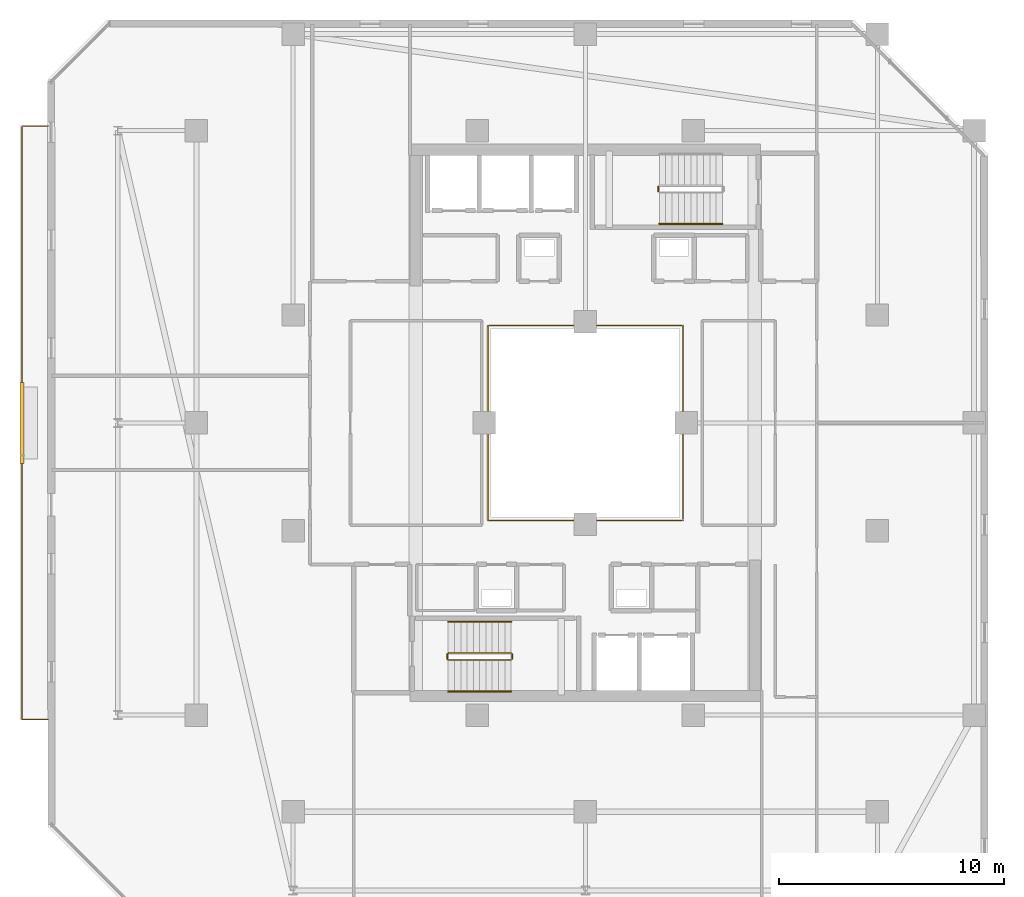
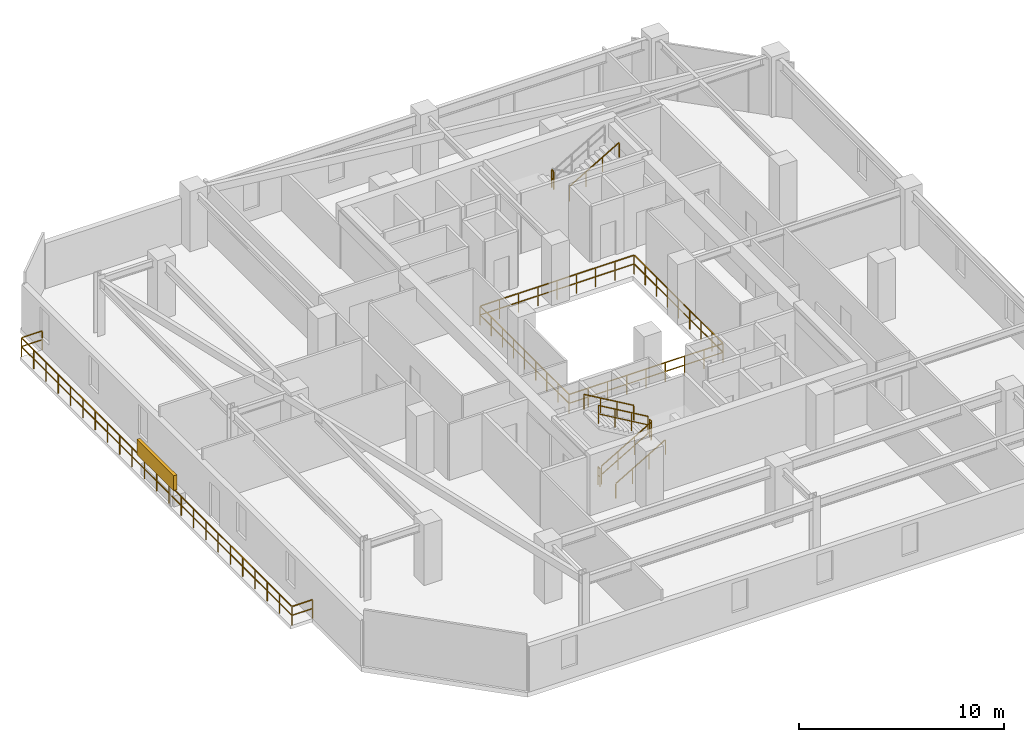
# One storey, part 28 of 31: 10 railings, 1 shading device.
"""IFC4 building model written with IfcOpenShell, lengths in metres."""

from ifc_helpers import new_model, si_unit, direction, frame, origin, origin_2d, place, context, subcontext, project, spatial, rectangle, extrude, material, type_object, element, save


model = new_model("IFC4")

# Units and contexts
model_context = context("Model", 3, precision=1e-05, world=origin(), true_north=direction((0.0, 1.0)))
body_context = subcontext(model_context, "Body", "Model", "MODEL_VIEW")
ifc_project = project(units=[si_unit("LENGTHUNIT", "METRE"), si_unit("AREAUNIT", "SQUARE_METRE"), si_unit("VOLUMEUNIT", "CUBIC_METRE"), si_unit("PLANEANGLEUNIT", "RADIAN"), si_unit("MASSUNIT", "GRAM", prefix="KILO")], contexts=[model_context])

# Site, building, storey
site_placement = place(None, origin())
site = spatial("IfcSite", under=ifc_project, at=site_placement, CompositionType="ELEMENT")
building_placement = place(site_placement, origin())
building = spatial("IfcBuilding", under=site, at=building_placement, Name="Thornwick Lancets Civic Towers", CompositionType="ELEMENT")
storey_placement = place(building_placement, frame((0.0, 0.0, 233.10009765625)))
storey = spatial("IfcBuildingStorey", under=building, at=storey_placement, Name="L62", CompositionType="ELEMENT", Elevation=233.10009765625)

# Railings
ifc_material_1 = material(Name="Laminated glass and bronze steel S355", Category="steel")
railing_type_1 = type_object("IfcRailingType", Name="RAIL_ATRIUM_GUARD", PredefinedType="BALUSTRADE", material=ifc_material_1)
railing_1_placement = place(storey_placement, frame((21.159912109375, 22.659912109375, 0.0)))
element("IfcRailing", 1, at=railing_1_placement, inside=storey, type_object=railing_type_1, Name="L62 Tower A Central Atrium Guard Balustrade", PredefinedType="BALUSTRADE", context=body_context, shape_type="SweptSolid", body=[
    extrude(rectangle(XDim=0.048095703125, YDim=0.048095703125, at=origin_2d()), frame((0.0, 0.0, 1.1259765625), z_axis=(1.0, 0.0, 0.0), x_axis=(0.0, 1.0, 0.0)), (0.0, 0.0, 1.0), 8.64892578125),
    extrude(rectangle(XDim=0.0419921875, YDim=0.0419921875, at=origin_2d()), frame((0.03759765625, 0.0, 0.597900390625), z_axis=(1.0, 0.0, 0.0), x_axis=(0.0, 1.0, 0.0)), (0.0, 0.0, 1.0), 1.010009765625),
    extrude(rectangle(XDim=0.0419921875, YDim=0.0419921875, at=origin_2d()), frame((1.12255859375, 0.0, 0.597900390625), z_axis=(1.0, 0.0, 0.0), x_axis=(0.0, 1.0, 0.0)), (0.0, 0.0, 1.0), 1.010009765625),
    extrude(rectangle(XDim=0.0419921875, YDim=0.0419921875, at=origin_2d()), frame((2.20751953125, 0.0, 0.597900390625), z_axis=(1.0, 0.0, 0.0), x_axis=(0.0, 1.0, 0.0)), (0.0, 0.0, 1.0), 1.010009765625),
    extrude(rectangle(XDim=0.0419921875, YDim=0.0419921875, at=origin_2d()), frame((3.29248046875, 0.0, 0.597900390625), z_axis=(1.0, 0.0, 0.0), x_axis=(0.0, 1.0, 0.0)), (0.0, 0.0, 1.0), 1.010009765625),
    extrude(rectangle(XDim=0.0419921875, YDim=0.0419921875, at=origin_2d()), frame((4.377685546875, 0.0, 0.597900390625), z_axis=(1.0, 0.0, 0.0), x_axis=(0.0, 1.0, 0.0)), (0.0, 0.0, 1.0), 1.010009765625),
    extrude(rectangle(XDim=0.0419921875, YDim=0.0419921875, at=origin_2d()), frame((5.462646484375, 0.0, 0.597900390625), z_axis=(1.0, 0.0, 0.0), x_axis=(0.0, 1.0, 0.0)), (0.0, 0.0, 1.0), 1.010009765625),
    extrude(rectangle(XDim=0.0419921875, YDim=0.0419921875, at=origin_2d()), frame((6.547607421875, 0.0, 0.597900390625), z_axis=(1.0, 0.0, 0.0), x_axis=(0.0, 1.0, 0.0)), (0.0, 0.0, 1.0), 1.010009765625),
    extrude(rectangle(XDim=0.0419921875, YDim=0.0419921875, at=origin_2d()), frame((7.632568359375, 0.0, 0.597900390625), z_axis=(1.0, 0.0, 0.0), x_axis=(0.0, 1.0, 0.0)), (0.0, 0.0, 1.0), 1.010009765625),
    extrude(rectangle(XDim=0.048095703125, YDim=0.048095703125, at=origin_2d()), frame((8.68017578125, 0.03125, 1.1259765625), z_axis=(0.0, 1.0, 0.0), x_axis=(-1.0, 0.0, 0.0)), (0.0, 0.0, 1.0), 8.61767578125),
    extrude(rectangle(XDim=0.0419921875, YDim=0.0419921875, at=origin_2d()), frame((8.68017578125, 0.03759765625, 0.597900390625), z_axis=(0.0, 1.0, 0.0), x_axis=(-1.0, 0.0, 0.0)), (0.0, 0.0, 1.0), 1.010009765625),
    extrude(rectangle(XDim=0.0419921875, YDim=0.0419921875, at=origin_2d()), frame((8.68017578125, 1.12255859375, 0.597900390625), z_axis=(0.0, 1.0, 0.0), x_axis=(-1.0, 0.0, 0.0)), (0.0, 0.0, 1.0), 1.010009765625),
    extrude(rectangle(XDim=0.0419921875, YDim=0.0419921875, at=origin_2d()), frame((8.68017578125, 2.20751953125, 0.597900390625), z_axis=(0.0, 1.0, 0.0), x_axis=(-1.0, 0.0, 0.0)), (0.0, 0.0, 1.0), 1.010009765625),
    extrude(rectangle(XDim=0.0419921875, YDim=0.0419921875, at=origin_2d()), frame((8.68017578125, 3.29248046875, 0.597900390625), z_axis=(0.0, 1.0, 0.0), x_axis=(-1.0, 0.0, 0.0)), (0.0, 0.0, 1.0), 1.010009765625),
    extrude(rectangle(XDim=0.0419921875, YDim=0.0419921875, at=origin_2d()), frame((8.68017578125, 4.377685546875, 0.597900390625), z_axis=(0.0, 1.0, 0.0), x_axis=(-1.0, 0.0, 0.0)), (0.0, 0.0, 1.0), 1.010009765625),
    extrude(rectangle(XDim=0.0419921875, YDim=0.0419921875, at=origin_2d()), frame((8.68017578125, 5.462646484375, 0.597900390625), z_axis=(0.0, 1.0, 0.0), x_axis=(-1.0, 0.0, 0.0)), (0.0, 0.0, 1.0), 1.010009765625),
    extrude(rectangle(XDim=0.0419921875, YDim=0.0419921875, at=origin_2d()), frame((8.68017578125, 6.547607421875, 0.597900390625), z_axis=(0.0, 1.0, 0.0), x_axis=(-1.0, 0.0, 0.0)), (0.0, 0.0, 1.0), 1.010009765625),
    extrude(rectangle(XDim=0.0419921875, YDim=0.0419921875, at=origin_2d()), frame((8.68017578125, 7.632568359375, 0.597900390625), z_axis=(0.0, 1.0, 0.0), x_axis=(-1.0, 0.0, 0.0)), (0.0, 0.0, 1.0), 1.010009765625),
    extrude(rectangle(XDim=0.048095703125, YDim=0.048095703125, at=origin_2d()), frame((8.64892578125, 8.68017578125, 1.1259765625), z_axis=(-1.0, 0.0, 0.0), x_axis=(0.0, -1.0, 0.0)), (0.0, 0.0, 1.0), 8.61767578125),
    extrude(rectangle(XDim=0.0419921875, YDim=0.0419921875, at=origin_2d()), frame((8.642578125, 8.68017578125, 0.597900390625), z_axis=(-1.0, 0.0, 0.0), x_axis=(0.0, -1.0, 0.0)), (0.0, 0.0, 1.0), 1.010009765625),
    extrude(rectangle(XDim=0.0419921875, YDim=0.0419921875, at=origin_2d()), frame((7.5576171875, 8.68017578125, 0.597900390625), z_axis=(-1.0, 0.0, 0.0), x_axis=(0.0, -1.0, 0.0)), (0.0, 0.0, 1.0), 1.010009765625),
    extrude(rectangle(XDim=0.0419921875, YDim=0.0419921875, at=origin_2d()), frame((6.47265625, 8.68017578125, 0.597900390625), z_axis=(-1.0, 0.0, 0.0), x_axis=(0.0, -1.0, 0.0)), (0.0, 0.0, 1.0), 1.010009765625),
    extrude(rectangle(XDim=0.0419921875, YDim=0.0419921875, at=origin_2d()), frame((5.3876953125, 8.68017578125, 0.597900390625), z_axis=(-1.0, 0.0, 0.0), x_axis=(0.0, -1.0, 0.0)), (0.0, 0.0, 1.0), 1.010009765625),
    extrude(rectangle(XDim=0.0419921875, YDim=0.0419921875, at=origin_2d()), frame((4.302490234375, 8.68017578125, 0.597900390625), z_axis=(-1.0, 0.0, 0.0), x_axis=(0.0, -1.0, 0.0)), (0.0, 0.0, 1.0), 1.010009765625),
    extrude(rectangle(XDim=0.0419921875, YDim=0.0419921875, at=origin_2d()), frame((3.217529296875, 8.68017578125, 0.597900390625), z_axis=(-1.0, 0.0, 0.0), x_axis=(0.0, -1.0, 0.0)), (0.0, 0.0, 1.0), 1.010009765625),
    extrude(rectangle(XDim=0.0419921875, YDim=0.0419921875, at=origin_2d()), frame((2.132568359375, 8.68017578125, 0.597900390625), z_axis=(-1.0, 0.0, 0.0), x_axis=(0.0, -1.0, 0.0)), (0.0, 0.0, 1.0), 1.010009765625),
    extrude(rectangle(XDim=0.0419921875, YDim=0.0419921875, at=origin_2d()), frame((1.047607421875, 8.68017578125, 0.597900390625), z_axis=(-1.0, 0.0, 0.0), x_axis=(0.0, -1.0, 0.0)), (0.0, 0.0, 1.0), 1.010009765625),
    extrude(rectangle(XDim=0.048095703125, YDim=0.048095703125, at=origin_2d()), frame((0.0, 8.64892578125, 1.1259765625), z_axis=(0.0, -1.0, 0.0), x_axis=(1.0, 0.0, 0.0)), (0.0, 0.0, 1.0), 8.64892578125),
    extrude(rectangle(XDim=0.0419921875, YDim=0.0419921875, at=origin_2d()), frame((0.0, 8.642578125, 0.597900390625), z_axis=(0.0, -1.0, 0.0), x_axis=(1.0, 0.0, 0.0)), (0.0, 0.0, 1.0), 1.010009765625),
    extrude(rectangle(XDim=0.0419921875, YDim=0.0419921875, at=origin_2d()), frame((0.0, 7.5576171875, 0.597900390625), z_axis=(0.0, -1.0, 0.0), x_axis=(1.0, 0.0, 0.0)), (0.0, 0.0, 1.0), 1.010009765625),
    extrude(rectangle(XDim=0.0419921875, YDim=0.0419921875, at=origin_2d()), frame((0.0, 6.47265625, 0.597900390625), z_axis=(0.0, -1.0, 0.0), x_axis=(1.0, 0.0, 0.0)), (0.0, 0.0, 1.0), 1.010009765625),
    extrude(rectangle(XDim=0.0419921875, YDim=0.0419921875, at=origin_2d()), frame((0.0, 5.3876953125, 0.597900390625), z_axis=(0.0, -1.0, 0.0), x_axis=(1.0, 0.0, 0.0)), (0.0, 0.0, 1.0), 1.010009765625),
    extrude(rectangle(XDim=0.0419921875, YDim=0.0419921875, at=origin_2d()), frame((0.0, 4.302490234375, 0.597900390625), z_axis=(0.0, -1.0, 0.0), x_axis=(1.0, 0.0, 0.0)), (0.0, 0.0, 1.0), 1.010009765625),
    extrude(rectangle(XDim=0.0419921875, YDim=0.0419921875, at=origin_2d()), frame((0.0, 3.217529296875, 0.597900390625), z_axis=(0.0, -1.0, 0.0), x_axis=(1.0, 0.0, 0.0)), (0.0, 0.0, 1.0), 1.010009765625),
    extrude(rectangle(XDim=0.0419921875, YDim=0.0419921875, at=origin_2d()), frame((0.0, 2.132568359375, 0.597900390625), z_axis=(0.0, -1.0, 0.0), x_axis=(1.0, 0.0, 0.0)), (0.0, 0.0, 1.0), 1.010009765625),
    extrude(rectangle(XDim=0.0419921875, YDim=0.0419921875, at=origin_2d()), frame((0.0, 1.047607421875, 0.597900390625), z_axis=(0.0, -1.0, 0.0), x_axis=(1.0, 0.0, 0.0)), (0.0, 0.0, 1.0), 1.010009765625),
    extrude(rectangle(XDim=0.0419921875, YDim=0.0419921875, at=origin_2d()), origin(), (0.0, 0.0, 1.0), 1.095703125),
    extrude(rectangle(XDim=0.0419921875, YDim=0.0419921875, at=origin_2d()), frame((1.0849609375, 0.0, 0.0)), (0.0, 0.0, 1.0), 1.095703125),
    extrude(rectangle(XDim=0.0419921875, YDim=0.0419921875, at=origin_2d()), frame((2.169921875, 0.0, 0.0)), (0.0, 0.0, 1.0), 1.095703125),
    extrude(rectangle(XDim=0.0419921875, YDim=0.0419921875, at=origin_2d()), frame((3.255126953125, 0.0, 0.0)), (0.0, 0.0, 1.0), 1.095703125),
    extrude(rectangle(XDim=0.0419921875, YDim=0.0419921875, at=origin_2d()), frame((4.340087890625, 0.0, 0.0)), (0.0, 0.0, 1.0), 1.095703125),
    extrude(rectangle(XDim=0.0419921875, YDim=0.0419921875, at=origin_2d()), frame((5.425048828125, 0.0, 0.0)), (0.0, 0.0, 1.0), 1.095703125),
    extrude(rectangle(XDim=0.0419921875, YDim=0.0419921875, at=origin_2d()), frame((6.51025390625, 0.0, 0.0)), (0.0, 0.0, 1.0), 1.095703125),
    extrude(rectangle(XDim=0.0419921875, YDim=0.0419921875, at=origin_2d()), frame((7.59521484375, 0.0, 0.0)), (0.0, 0.0, 1.0), 1.095703125),
    extrude(rectangle(XDim=0.0419921875, YDim=0.0419921875, at=origin_2d()), frame((8.68017578125, 0.0, 0.0)), (0.0, 0.0, 1.0), 1.095703125),
    extrude(rectangle(XDim=0.0419921875, YDim=0.0419921875, at=origin_2d()), frame((8.68017578125, 1.0849609375, 0.0)), (0.0, 0.0, 1.0), 1.095703125),
    extrude(rectangle(XDim=0.0419921875, YDim=0.0419921875, at=origin_2d()), frame((8.68017578125, 2.169921875, 0.0)), (0.0, 0.0, 1.0), 1.095703125),
    extrude(rectangle(XDim=0.0419921875, YDim=0.0419921875, at=origin_2d()), frame((8.68017578125, 3.255126953125, 0.0)), (0.0, 0.0, 1.0), 1.095703125),
    extrude(rectangle(XDim=0.0419921875, YDim=0.0419921875, at=origin_2d()), frame((8.68017578125, 4.340087890625, 0.0)), (0.0, 0.0, 1.0), 1.095703125),
    extrude(rectangle(XDim=0.0419921875, YDim=0.0419921875, at=origin_2d()), frame((8.68017578125, 5.425048828125, 0.0)), (0.0, 0.0, 1.0), 1.095703125),
    extrude(rectangle(XDim=0.0419921875, YDim=0.0419921875, at=origin_2d()), frame((8.68017578125, 6.51025390625, 0.0)), (0.0, 0.0, 1.0), 1.095703125),
    extrude(rectangle(XDim=0.0419921875, YDim=0.0419921875, at=origin_2d()), frame((8.68017578125, 7.59521484375, 0.0)), (0.0, 0.0, 1.0), 1.095703125),
    extrude(rectangle(XDim=0.0419921875, YDim=0.0419921875, at=origin_2d()), frame((8.68017578125, 8.68017578125, 0.0)), (0.0, 0.0, 1.0), 1.095703125),
    extrude(rectangle(XDim=0.0419921875, YDim=0.0419921875, at=origin_2d()), frame((7.59521484375, 8.68017578125, 0.0)), (0.0, 0.0, 1.0), 1.095703125),
    extrude(rectangle(XDim=0.0419921875, YDim=0.0419921875, at=origin_2d()), frame((6.51025390625, 8.68017578125, 0.0)), (0.0, 0.0, 1.0), 1.095703125),
    extrude(rectangle(XDim=0.0419921875, YDim=0.0419921875, at=origin_2d()), frame((5.425048828125, 8.68017578125, 0.0)), (0.0, 0.0, 1.0), 1.095703125),
    extrude(rectangle(XDim=0.0419921875, YDim=0.0419921875, at=origin_2d()), frame((4.340087890625, 8.68017578125, 0.0)), (0.0, 0.0, 1.0), 1.095703125),
    extrude(rectangle(XDim=0.0419921875, YDim=0.0419921875, at=origin_2d()), frame((3.255126953125, 8.68017578125, 0.0)), (0.0, 0.0, 1.0), 1.095703125),
    extrude(rectangle(XDim=0.0419921875, YDim=0.0419921875, at=origin_2d()), frame((2.169921875, 8.68017578125, 0.0)), (0.0, 0.0, 1.0), 1.095703125),
    extrude(rectangle(XDim=0.0419921875, YDim=0.0419921875, at=origin_2d()), frame((1.0849609375, 8.68017578125, 0.0)), (0.0, 0.0, 1.0), 1.095703125),
    extrude(rectangle(XDim=0.0419921875, YDim=0.0419921875, at=origin_2d()), frame((0.0, 8.68017578125, 0.0)), (0.0, 0.0, 1.0), 1.095703125),
    extrude(rectangle(XDim=0.0419921875, YDim=0.0419921875, at=origin_2d()), frame((0.0, 7.59521484375, 0.0)), (0.0, 0.0, 1.0), 1.095703125),
    extrude(rectangle(XDim=0.0419921875, YDim=0.0419921875, at=origin_2d()), frame((0.0, 6.51025390625, 0.0)), (0.0, 0.0, 1.0), 1.095703125),
    extrude(rectangle(XDim=0.0419921875, YDim=0.0419921875, at=origin_2d()), frame((0.0, 5.425048828125, 0.0)), (0.0, 0.0, 1.0), 1.095703125),
    extrude(rectangle(XDim=0.0419921875, YDim=0.0419921875, at=origin_2d()), frame((0.0, 4.340087890625, 0.0)), (0.0, 0.0, 1.0), 1.095703125),
    extrude(rectangle(XDim=0.0419921875, YDim=0.0419921875, at=origin_2d()), frame((0.0, 3.255126953125, 0.0)), (0.0, 0.0, 1.0), 1.095703125),
    extrude(rectangle(XDim=0.0419921875, YDim=0.0419921875, at=origin_2d()), frame((0.0, 2.169921875, 0.0)), (0.0, 0.0, 1.0), 1.095703125),
    extrude(rectangle(XDim=0.0419921875, YDim=0.0419921875, at=origin_2d()), frame((0.0, 1.0849609375, 0.0)), (0.0, 0.0, 1.0), 1.095703125),
])
ifc_material_2 = material(Name="Brushed stainless steel S355", Category="steel")
railing_type_2 = type_object("IfcRailingType", Name="RAIL_HANDRAIL", PredefinedType="HANDRAIL", material=ifc_material_2)
railing_2_placement = place(storey_placement, frame((19.39990234375, 15.050048828125, 0.16357421875)))
element("IfcRailing", 2, at=railing_2_placement, inside=storey, type_object=railing_type_2, Name="L62 ST-A1 stair handrail 1", PredefinedType="HANDRAIL", context=body_context, shape_type="SweptSolid", body=[
    extrude(rectangle(XDim=0.048095703125, YDim=0.048095703125, at=origin_2d()), frame((0.0, 0.0, 0.8857421875), z_axis=(0.863393664356, 0.0, 0.504530851732), x_axis=(0.0, 1.0, 0.0)), (0.0, 0.0, 1.0), 3.2431640625),
    extrude(rectangle(XDim=0.0419921875, YDim=0.0419921875, at=origin_2d()), origin(), (0.0, 0.0, 1.0), 0.855712890625),
    extrude(rectangle(XDim=0.0419921875, YDim=0.0419921875, at=origin_2d()), frame((0.933349609375, 0.0, 0.54541015625)), (0.0, 0.0, 1.0), 0.855712890625),
    extrude(rectangle(XDim=0.0419921875, YDim=0.0419921875, at=origin_2d()), frame((1.86669921875, 0.0, 1.0908203125)), (0.0, 0.0, 1.0), 0.855712890625),
    extrude(rectangle(XDim=0.0419921875, YDim=0.0419921875, at=origin_2d()), frame((2.800048828125, 0.0, 1.63623046875)), (0.0, 0.0, 1.0), 0.855712890625),
])
railing_3_placement = place(storey_placement, frame((22.199951171875, 18.14990234375, 1.963623046875)))
element("IfcRailing", 3, at=railing_3_placement, inside=storey, type_object=railing_type_2, Name="L62 ST-A1 stair handrail 2", PredefinedType="HANDRAIL", context=body_context, shape_type="SweptSolid", body=[
    extrude(rectangle(XDim=0.048095703125, YDim=0.048095703125, at=origin_2d()), frame((0.0, 0.0, 0.8857421875), z_axis=(-0.863393664356, 0.0, 0.504530851732), x_axis=(0.0, -1.0, 0.0)), (0.0, 0.0, 1.0), 3.2431640625),
    extrude(rectangle(XDim=0.0419921875, YDim=0.0419921875, at=origin_2d()), origin(), (0.0, 0.0, 1.0), 0.855712890625),
    extrude(rectangle(XDim=0.0419921875, YDim=0.0419921875, at=origin_2d()), frame((-0.933349609375, 0.0, 0.54541015625)), (0.0, 0.0, 1.0), 0.855712890625),
    extrude(rectangle(XDim=0.0419921875, YDim=0.0419921875, at=origin_2d()), frame((-1.86669921875, 0.0, 1.0908203125)), (0.0, 0.0, 1.0), 0.855712890625),
    extrude(rectangle(XDim=0.0419921875, YDim=0.0419921875, at=origin_2d()), frame((-2.800048828125, 0.0, 1.63623046875)), (0.0, 0.0, 1.0), 0.855712890625),
])
railing_4_placement = place(storey_placement, frame((28.800048828125, 35.85009765625, 1.963623046875)))
element("IfcRailing", 4, at=railing_4_placement, inside=storey, type_object=railing_type_2, Name="L62 ST-A2 stair handrail 2", PredefinedType="HANDRAIL", context=body_context, shape_type="SweptSolid", body=[
    extrude(rectangle(XDim=0.048095703125, YDim=0.048095703125, at=origin_2d()), frame((0.0, 0.0, 0.8857421875), z_axis=(0.863393664356, 0.0, 0.504530851732), x_axis=(0.0, 1.0, 0.0)), (0.0, 0.0, 1.0), 3.2431640625),
    extrude(rectangle(XDim=0.0419921875, YDim=0.0419921875, at=origin_2d()), origin(), (0.0, 0.0, 1.0), 0.855712890625),
    extrude(rectangle(XDim=0.0419921875, YDim=0.0419921875, at=origin_2d()), frame((0.933349609375, 0.0, 0.54541015625)), (0.0, 0.0, 1.0), 0.855712890625),
    extrude(rectangle(XDim=0.0419921875, YDim=0.0419921875, at=origin_2d()), frame((1.86669921875, 0.0, 1.0908203125)), (0.0, 0.0, 1.0), 0.855712890625),
    extrude(rectangle(XDim=0.0419921875, YDim=0.0419921875, at=origin_2d()), frame((2.800048828125, 0.0, 1.63623046875)), (0.0, 0.0, 1.0), 0.855712890625),
])
ifc_material_3 = material(Name="Steel S355JR", Category="steel")
railing_type_3 = type_object("IfcRailingType", Name="RAIL_STAIR_GUARD", PredefinedType="GUARDRAIL", material=ifc_material_3)
railing_5_placement = place(storey_placement, frame((19.39990234375, 16.449951171875, 0.16357421875)))
element("IfcRailing", 5, at=railing_5_placement, inside=storey, type_object=railing_type_3, Name="L62 ST-A1 stair guard 1", PredefinedType="GUARDRAIL", context=body_context, shape_type="SweptSolid", body=[
    extrude(rectangle(XDim=0.048095703125, YDim=0.048095703125, at=origin_2d()), frame((0.0, 0.0, 1.076171875), z_axis=(0.863393664356, 0.0, 0.504530851732), x_axis=(0.0, 1.0, 0.0)), (0.0, 0.0, 1.0), 3.2431640625),
    extrude(rectangle(XDim=0.0419921875, YDim=0.0419921875, at=origin_2d()), frame((0.032470703125, 0.0, 0.591064453125), z_axis=(0.863393664356, 0.0, 0.504530851732), x_axis=(0.0, 1.0, 0.0)), (0.0, 0.0, 1.0), 1.006103515625),
    extrude(rectangle(XDim=0.0419921875, YDim=0.0419921875, at=origin_2d()), frame((0.9658203125, 0.0, 1.136474609375), z_axis=(0.863393664356, 0.0, 0.504530851732), x_axis=(0.0, 1.0, 0.0)), (0.0, 0.0, 1.0), 1.006103515625),
    extrude(rectangle(XDim=0.0419921875, YDim=0.0419921875, at=origin_2d()), frame((1.899169921875, 0.0, 1.681884765625), z_axis=(0.863393664356, 0.0, 0.504530851732), x_axis=(0.0, 1.0, 0.0)), (0.0, 0.0, 1.0), 1.006103515625),
    extrude(rectangle(XDim=0.0419921875, YDim=0.0419921875, at=origin_2d()), origin(), (0.0, 0.0, 1.0), 1.0458984375),
    extrude(rectangle(XDim=0.0419921875, YDim=0.0419921875, at=origin_2d()), frame((0.933349609375, 0.0, 0.54541015625)), (0.0, 0.0, 1.0), 1.0458984375),
    extrude(rectangle(XDim=0.0419921875, YDim=0.0419921875, at=origin_2d()), frame((1.86669921875, 0.0, 1.0908203125)), (0.0, 0.0, 1.0), 1.0458984375),
    extrude(rectangle(XDim=0.0419921875, YDim=0.0419921875, at=origin_2d()), frame((2.800048828125, 0.0, 1.63623046875)), (0.0, 0.0, 1.0), 1.0458984375),
])
railing_6_placement = place(storey_placement, frame((22.25, 16.5, 1.7998046875)))
element("IfcRailing", 6, at=railing_6_placement, inside=storey, type_object=railing_type_3, Name="L62 ST-A1 stair guard 2", PredefinedType="GUARDRAIL", context=body_context, shape_type="SweptSolid", body=[
    extrude(rectangle(XDim=0.048095703125, YDim=0.048095703125, at=origin_2d()), frame((0.0, 0.0, 1.076171875), z_axis=(0.0, 1.0, 0.0), x_axis=(-1.0, 0.0, 0.0)), (0.0, 0.0, 1.0), 0.199951171875),
    extrude(rectangle(XDim=0.0419921875, YDim=0.0419921875, at=origin_2d()), frame((0.0, 0.03759765625, 0.572021484375), z_axis=(0.0, 1.0, 0.0), x_axis=(-1.0, 0.0, 0.0)), (0.0, 0.0, 1.0), 0.125),
    extrude(rectangle(XDim=0.0419921875, YDim=0.0419921875, at=origin_2d()), origin(), (0.0, 0.0, 1.0), 1.0458984375),
    extrude(rectangle(XDim=0.0419921875, YDim=0.0419921875, at=origin_2d()), frame((0.0, 0.199951171875, 0.0)), (0.0, 0.0, 1.0), 1.0458984375),
])
railing_7_placement = place(storey_placement, frame((22.199951171875, 16.75, 1.963623046875)))
element("IfcRailing", 7, at=railing_7_placement, inside=storey, type_object=railing_type_3, Name="L62 ST-A1 stair guard 3", PredefinedType="GUARDRAIL", context=body_context, shape_type="SweptSolid", body=[
    extrude(rectangle(XDim=0.048095703125, YDim=0.048095703125, at=origin_2d()), frame((0.0, 0.0, 1.076171875), z_axis=(-0.863393664356, 0.0, 0.504530851732), x_axis=(0.0, -1.0, 0.0)), (0.0, 0.0, 1.0), 3.2431640625),
    extrude(rectangle(XDim=0.0419921875, YDim=0.0419921875, at=origin_2d()), frame((-0.032470703125, 0.0, 0.591064453125), z_axis=(-0.863393664356, 0.0, 0.504530851732), x_axis=(0.0, -1.0, 0.0)), (0.0, 0.0, 1.0), 1.006103515625),
    extrude(rectangle(XDim=0.0419921875, YDim=0.0419921875, at=origin_2d()), frame((-0.9658203125, 0.0, 1.136474609375), z_axis=(-0.863393664356, 0.0, 0.504530851732), x_axis=(0.0, -1.0, 0.0)), (0.0, 0.0, 1.0), 1.006103515625),
    extrude(rectangle(XDim=0.0419921875, YDim=0.0419921875, at=origin_2d()), frame((-1.899169921875, 0.0, 1.681884765625), z_axis=(-0.863393664356, 0.0, 0.504530851732), x_axis=(0.0, -1.0, 0.0)), (0.0, 0.0, 1.0), 1.006103515625),
    extrude(rectangle(XDim=0.0419921875, YDim=0.0419921875, at=origin_2d()), origin(), (0.0, 0.0, 1.0), 1.0458984375),
    extrude(rectangle(XDim=0.0419921875, YDim=0.0419921875, at=origin_2d()), frame((-0.933349609375, 0.0, 0.54541015625)), (0.0, 0.0, 1.0), 1.0458984375),
    extrude(rectangle(XDim=0.0419921875, YDim=0.0419921875, at=origin_2d()), frame((-1.86669921875, 0.0, 1.0908203125)), (0.0, 0.0, 1.0), 1.0458984375),
    extrude(rectangle(XDim=0.0419921875, YDim=0.0419921875, at=origin_2d()), frame((-2.800048828125, 0.0, 1.63623046875)), (0.0, 0.0, 1.0), 1.0458984375),
])
railing_8_placement = place(storey_placement, frame((19.35009765625, 16.5, 0.0)))
element("IfcRailing", 8, at=railing_8_placement, inside=storey, type_object=railing_type_3, Name="L62 ST-A1 stair guard 4", PredefinedType="GUARDRAIL", context=body_context, shape_type="SweptSolid", body=[
    extrude(rectangle(XDim=0.048095703125, YDim=0.048095703125, at=origin_2d()), frame((0.0, 0.0, 1.076171875), z_axis=(0.0, 1.0, 0.0), x_axis=(-1.0, 0.0, 0.0)), (0.0, 0.0, 1.0), 0.199951171875),
    extrude(rectangle(XDim=0.0419921875, YDim=0.0419921875, at=origin_2d()), frame((0.0, 0.03759765625, 0.572021484375), z_axis=(0.0, 1.0, 0.0), x_axis=(-1.0, 0.0, 0.0)), (0.0, 0.0, 1.0), 0.125),
    extrude(rectangle(XDim=0.0419921875, YDim=0.0419921875, at=origin_2d()), origin(), (0.0, 0.0, 1.0), 1.0458984375),
    extrude(rectangle(XDim=0.0419921875, YDim=0.0419921875, at=origin_2d()), frame((0.0, 0.199951171875, 0.0)), (0.0, 0.0, 1.0), 1.0458984375),
])
railing_9_placement = place(storey_placement, frame((28.75, 37.5, 1.7998046875)))
element("IfcRailing", 9, at=railing_9_placement, inside=storey, type_object=railing_type_3, Name="L62 ST-A2 stair guard 2", PredefinedType="GUARDRAIL", context=body_context, shape_type="SweptSolid", body=[
    extrude(rectangle(XDim=0.048095703125, YDim=0.048095703125, at=origin_2d()), frame((0.0, 0.0, 1.076171875), z_axis=(0.0, -1.0, 0.0), x_axis=(1.0, 0.0, 0.0)), (0.0, 0.0, 1.0), 0.199951171875),
    extrude(rectangle(XDim=0.0419921875, YDim=0.0419921875, at=origin_2d()), frame((0.0, -0.03759765625, 0.572021484375), z_axis=(0.0, -1.0, 0.0), x_axis=(1.0, 0.0, 0.0)), (0.0, 0.0, 1.0), 0.125),
    extrude(rectangle(XDim=0.0419921875, YDim=0.0419921875, at=origin_2d()), origin(), (0.0, 0.0, 1.0), 1.0458984375),
    extrude(rectangle(XDim=0.0419921875, YDim=0.0419921875, at=origin_2d()), frame((0.0, -0.199951171875, 0.0)), (0.0, 0.0, 1.0), 1.0458984375),
])
ifc_material_4 = material(Name="Terracotta-capped laminated glass balustrade S355", Category="masonry")
railing_type_4 = type_object("IfcRailingType", Name="RAIL_TERR_GUARD", PredefinedType="GUARDRAIL", material=ifc_material_4)
railing_10_placement = place(storey_placement, frame((1.60009765625, 13.800048828125, 0.0)))
element("IfcRailing", 10, at=railing_10_placement, inside=storey, type_object=railing_type_4, Name="L62 Tower A Balcony Guard W", PredefinedType="GUARDRAIL", context=body_context, shape_type="SweptSolid", body=[
    extrude(rectangle(XDim=0.048095703125, YDim=0.048095703125, at=origin_2d()), frame((0.0, 0.0, 1.1259765625), z_axis=(-1.0, 0.0, 0.0), x_axis=(0.0, -1.0, 0.0)), (0.0, 0.0, 1.0), 1.138916015625),
    extrude(rectangle(XDim=0.0419921875, YDim=0.0419921875, at=origin_2d()), frame((-0.03759765625, 0.0, 0.597900390625), z_axis=(-1.0, 0.0, 0.0), x_axis=(0.0, -1.0, 0.0)), (0.0, 0.0, 1.0), 1.09521484375),
    extrude(rectangle(XDim=0.048095703125, YDim=0.048095703125, at=origin_2d()), frame((-1.170166015625, 0.03125, 1.1259765625), z_axis=(0.0, 1.0, 0.0), x_axis=(-1.0, 0.0, 0.0)), (0.0, 0.0, 1.0), 26.33740234375),
    extrude(rectangle(XDim=0.0419921875, YDim=0.0419921875, at=origin_2d()), frame((-1.170166015625, 0.03759765625, 0.597900390625), z_axis=(0.0, 1.0, 0.0), x_axis=(-1.0, 0.0, 0.0)), (0.0, 0.0, 1.0), 1.125),
    extrude(rectangle(XDim=0.0419921875, YDim=0.0419921875, at=origin_2d()), frame((-1.170166015625, 1.237548828125, 0.597900390625), z_axis=(0.0, 1.0, 0.0), x_axis=(-1.0, 0.0, 0.0)), (0.0, 0.0, 1.0), 1.125),
    extrude(rectangle(XDim=0.0419921875, YDim=0.0419921875, at=origin_2d()), frame((-1.170166015625, 2.4375, 0.597900390625), z_axis=(0.0, 1.0, 0.0), x_axis=(-1.0, 0.0, 0.0)), (0.0, 0.0, 1.0), 1.125),
    extrude(rectangle(XDim=0.0419921875, YDim=0.0419921875, at=origin_2d()), frame((-1.170166015625, 3.637451171875, 0.597900390625), z_axis=(0.0, 1.0, 0.0), x_axis=(-1.0, 0.0, 0.0)), (0.0, 0.0, 1.0), 1.125),
    extrude(rectangle(XDim=0.0419921875, YDim=0.0419921875, at=origin_2d()), frame((-1.170166015625, 4.83740234375, 0.597900390625), z_axis=(0.0, 1.0, 0.0), x_axis=(-1.0, 0.0, 0.0)), (0.0, 0.0, 1.0), 1.125),
    extrude(rectangle(XDim=0.0419921875, YDim=0.0419921875, at=origin_2d()), frame((-1.170166015625, 6.037353515625, 0.597900390625), z_axis=(0.0, 1.0, 0.0), x_axis=(-1.0, 0.0, 0.0)), (0.0, 0.0, 1.0), 1.125),
    extrude(rectangle(XDim=0.0419921875, YDim=0.0419921875, at=origin_2d()), frame((-1.170166015625, 7.237548828125, 0.597900390625), z_axis=(0.0, 1.0, 0.0), x_axis=(-1.0, 0.0, 0.0)), (0.0, 0.0, 1.0), 1.125),
    extrude(rectangle(XDim=0.0419921875, YDim=0.0419921875, at=origin_2d()), frame((-1.170166015625, 8.4375, 0.597900390625), z_axis=(0.0, 1.0, 0.0), x_axis=(-1.0, 0.0, 0.0)), (0.0, 0.0, 1.0), 1.125),
    extrude(rectangle(XDim=0.0419921875, YDim=0.0419921875, at=origin_2d()), frame((-1.170166015625, 9.637451171875, 0.597900390625), z_axis=(0.0, 1.0, 0.0), x_axis=(-1.0, 0.0, 0.0)), (0.0, 0.0, 1.0), 1.125),
    extrude(rectangle(XDim=0.0419921875, YDim=0.0419921875, at=origin_2d()), frame((-1.170166015625, 10.83740234375, 0.597900390625), z_axis=(0.0, 1.0, 0.0), x_axis=(-1.0, 0.0, 0.0)), (0.0, 0.0, 1.0), 1.125),
    extrude(rectangle(XDim=0.0419921875, YDim=0.0419921875, at=origin_2d()), frame((-1.170166015625, 12.037353515625, 0.597900390625), z_axis=(0.0, 1.0, 0.0), x_axis=(-1.0, 0.0, 0.0)), (0.0, 0.0, 1.0), 1.125),
    extrude(rectangle(XDim=0.0419921875, YDim=0.0419921875, at=origin_2d()), frame((-1.170166015625, 13.237548828125, 0.597900390625), z_axis=(0.0, 1.0, 0.0), x_axis=(-1.0, 0.0, 0.0)), (0.0, 0.0, 1.0), 1.125),
    extrude(rectangle(XDim=0.0419921875, YDim=0.0419921875, at=origin_2d()), frame((-1.170166015625, 14.4375, 0.597900390625), z_axis=(0.0, 1.0, 0.0), x_axis=(-1.0, 0.0, 0.0)), (0.0, 0.0, 1.0), 1.125),
    extrude(rectangle(XDim=0.0419921875, YDim=0.0419921875, at=origin_2d()), frame((-1.170166015625, 15.637451171875, 0.597900390625), z_axis=(0.0, 1.0, 0.0), x_axis=(-1.0, 0.0, 0.0)), (0.0, 0.0, 1.0), 1.125),
    extrude(rectangle(XDim=0.0419921875, YDim=0.0419921875, at=origin_2d()), frame((-1.170166015625, 16.83740234375, 0.597900390625), z_axis=(0.0, 1.0, 0.0), x_axis=(-1.0, 0.0, 0.0)), (0.0, 0.0, 1.0), 1.125),
    extrude(rectangle(XDim=0.0419921875, YDim=0.0419921875, at=origin_2d()), frame((-1.170166015625, 18.037353515625, 0.597900390625), z_axis=(0.0, 1.0, 0.0), x_axis=(-1.0, 0.0, 0.0)), (0.0, 0.0, 1.0), 1.125),
    extrude(rectangle(XDim=0.0419921875, YDim=0.0419921875, at=origin_2d()), frame((-1.170166015625, 19.2373046875, 0.597900390625), z_axis=(0.0, 1.0, 0.0), x_axis=(-1.0, 0.0, 0.0)), (0.0, 0.0, 1.0), 1.125),
    extrude(rectangle(XDim=0.0419921875, YDim=0.0419921875, at=origin_2d()), frame((-1.170166015625, 20.4375, 0.597900390625), z_axis=(0.0, 1.0, 0.0), x_axis=(-1.0, 0.0, 0.0)), (0.0, 0.0, 1.0), 1.125),
    extrude(rectangle(XDim=0.0419921875, YDim=0.0419921875, at=origin_2d()), frame((-1.170166015625, 21.637451171875, 0.597900390625), z_axis=(0.0, 1.0, 0.0), x_axis=(-1.0, 0.0, 0.0)), (0.0, 0.0, 1.0), 1.125),
    extrude(rectangle(XDim=0.0419921875, YDim=0.0419921875, at=origin_2d()), frame((-1.170166015625, 22.83740234375, 0.597900390625), z_axis=(0.0, 1.0, 0.0), x_axis=(-1.0, 0.0, 0.0)), (0.0, 0.0, 1.0), 1.125),
    extrude(rectangle(XDim=0.0419921875, YDim=0.0419921875, at=origin_2d()), frame((-1.170166015625, 24.037353515625, 0.597900390625), z_axis=(0.0, 1.0, 0.0), x_axis=(-1.0, 0.0, 0.0)), (0.0, 0.0, 1.0), 1.125),
    extrude(rectangle(XDim=0.0419921875, YDim=0.0419921875, at=origin_2d()), frame((-1.170166015625, 25.2373046875, 0.597900390625), z_axis=(0.0, 1.0, 0.0), x_axis=(-1.0, 0.0, 0.0)), (0.0, 0.0, 1.0), 1.125),
    extrude(rectangle(XDim=0.048095703125, YDim=0.048095703125, at=origin_2d()), frame((-1.138916015625, 26.39990234375, 1.1259765625), z_axis=(1.0, 0.0, 0.0), x_axis=(0.0, 1.0, 0.0)), (0.0, 0.0, 1.0), 1.138916015625),
    extrude(rectangle(XDim=0.0419921875, YDim=0.0419921875, at=origin_2d()), frame((-1.132568359375, 26.39990234375, 0.597900390625), z_axis=(1.0, 0.0, 0.0), x_axis=(0.0, 1.0, 0.0)), (0.0, 0.0, 1.0), 1.09521484375),
    extrude(rectangle(XDim=0.0419921875, YDim=0.0419921875, at=origin_2d()), origin(), (0.0, 0.0, 1.0), 1.095703125),
    extrude(rectangle(XDim=0.0419921875, YDim=0.0419921875, at=origin_2d()), frame((-1.170166015625, 0.0, 0.0)), (0.0, 0.0, 1.0), 1.095703125),
    extrude(rectangle(XDim=0.0419921875, YDim=0.0419921875, at=origin_2d()), frame((-1.170166015625, 1.199951171875, 0.0)), (0.0, 0.0, 1.0), 1.095703125),
    extrude(rectangle(XDim=0.0419921875, YDim=0.0419921875, at=origin_2d()), frame((-1.170166015625, 2.39990234375, 0.0)), (0.0, 0.0, 1.0), 1.095703125),
    extrude(rectangle(XDim=0.0419921875, YDim=0.0419921875, at=origin_2d()), frame((-1.170166015625, 3.60009765625, 0.0)), (0.0, 0.0, 1.0), 1.095703125),
    extrude(rectangle(XDim=0.0419921875, YDim=0.0419921875, at=origin_2d()), frame((-1.170166015625, 4.800048828125, 0.0)), (0.0, 0.0, 1.0), 1.095703125),
    extrude(rectangle(XDim=0.0419921875, YDim=0.0419921875, at=origin_2d()), frame((-1.170166015625, 6.0, 0.0)), (0.0, 0.0, 1.0), 1.095703125),
    extrude(rectangle(XDim=0.0419921875, YDim=0.0419921875, at=origin_2d()), frame((-1.170166015625, 7.199951171875, 0.0)), (0.0, 0.0, 1.0), 1.095703125),
    extrude(rectangle(XDim=0.0419921875, YDim=0.0419921875, at=origin_2d()), frame((-1.170166015625, 8.39990234375, 0.0)), (0.0, 0.0, 1.0), 1.095703125),
    extrude(rectangle(XDim=0.0419921875, YDim=0.0419921875, at=origin_2d()), frame((-1.170166015625, 9.599853515625, 0.0)), (0.0, 0.0, 1.0), 1.095703125),
    extrude(rectangle(XDim=0.0419921875, YDim=0.0419921875, at=origin_2d()), frame((-1.170166015625, 10.800048828125, 0.0)), (0.0, 0.0, 1.0), 1.095703125),
    extrude(rectangle(XDim=0.0419921875, YDim=0.0419921875, at=origin_2d()), frame((-1.170166015625, 12.0, 0.0)), (0.0, 0.0, 1.0), 1.095703125),
    extrude(rectangle(XDim=0.0419921875, YDim=0.0419921875, at=origin_2d()), frame((-1.170166015625, 13.199951171875, 0.0)), (0.0, 0.0, 1.0), 1.095703125),
    extrude(rectangle(XDim=0.0419921875, YDim=0.0419921875, at=origin_2d()), frame((-1.170166015625, 14.39990234375, 0.0)), (0.0, 0.0, 1.0), 1.095703125),
    extrude(rectangle(XDim=0.0419921875, YDim=0.0419921875, at=origin_2d()), frame((-1.170166015625, 15.599853515625, 0.0)), (0.0, 0.0, 1.0), 1.095703125),
    extrude(rectangle(XDim=0.0419921875, YDim=0.0419921875, at=origin_2d()), frame((-1.170166015625, 16.800048828125, 0.0)), (0.0, 0.0, 1.0), 1.095703125),
    extrude(rectangle(XDim=0.0419921875, YDim=0.0419921875, at=origin_2d()), frame((-1.170166015625, 18.0, 0.0)), (0.0, 0.0, 1.0), 1.095703125),
    extrude(rectangle(XDim=0.0419921875, YDim=0.0419921875, at=origin_2d()), frame((-1.170166015625, 19.199951171875, 0.0)), (0.0, 0.0, 1.0), 1.095703125),
    extrude(rectangle(XDim=0.0419921875, YDim=0.0419921875, at=origin_2d()), frame((-1.170166015625, 20.39990234375, 0.0)), (0.0, 0.0, 1.0), 1.095703125),
    extrude(rectangle(XDim=0.0419921875, YDim=0.0419921875, at=origin_2d()), frame((-1.170166015625, 21.599853515625, 0.0)), (0.0, 0.0, 1.0), 1.095703125),
    extrude(rectangle(XDim=0.0419921875, YDim=0.0419921875, at=origin_2d()), frame((-1.170166015625, 22.7998046875, 0.0)), (0.0, 0.0, 1.0), 1.095703125),
    extrude(rectangle(XDim=0.0419921875, YDim=0.0419921875, at=origin_2d()), frame((-1.170166015625, 24.0, 0.0)), (0.0, 0.0, 1.0), 1.095703125),
    extrude(rectangle(XDim=0.0419921875, YDim=0.0419921875, at=origin_2d()), frame((-1.170166015625, 25.199951171875, 0.0)), (0.0, 0.0, 1.0), 1.095703125),
    extrude(rectangle(XDim=0.0419921875, YDim=0.0419921875, at=origin_2d()), frame((-1.170166015625, 26.39990234375, 0.0)), (0.0, 0.0, 1.0), 1.095703125),
    extrude(rectangle(XDim=0.0419921875, YDim=0.0419921875, at=origin_2d()), frame((0.0, 26.39990234375, 0.0)), (0.0, 0.0, 1.0), 1.095703125),
])

# Shading device
ifc_material_5 = material(Name="Extruded terracotta baguette solar screen", Category="masonry")
shading_device_type = type_object("IfcShadingDeviceType", Name="SHADE_BAGUETTE", PredefinedType="JALOUSIE", material=ifc_material_5)
shading_device_placement = place(storey_placement, frame((0.43994140625, 27.0, 1.119873046875), z_axis=(0.0, 0.0, 1.0), x_axis=(0.0, 1.0, 0.0)))
element("IfcShadingDevice", 11, at=shading_device_placement, inside=storey, type_object=shading_device_type, Name="L62 Tower A Terracotta Baguette Screen W", PredefinedType="JALOUSIE", context=body_context, shape_type="SweptSolid", body=[
    extrude(rectangle(XDim=3.60009765625, YDim=0.179931640625, at=origin_2d()), origin(), (0.0, 0.0, 1.0), 0.89990234375),
])

save(model, "model.ifc")
